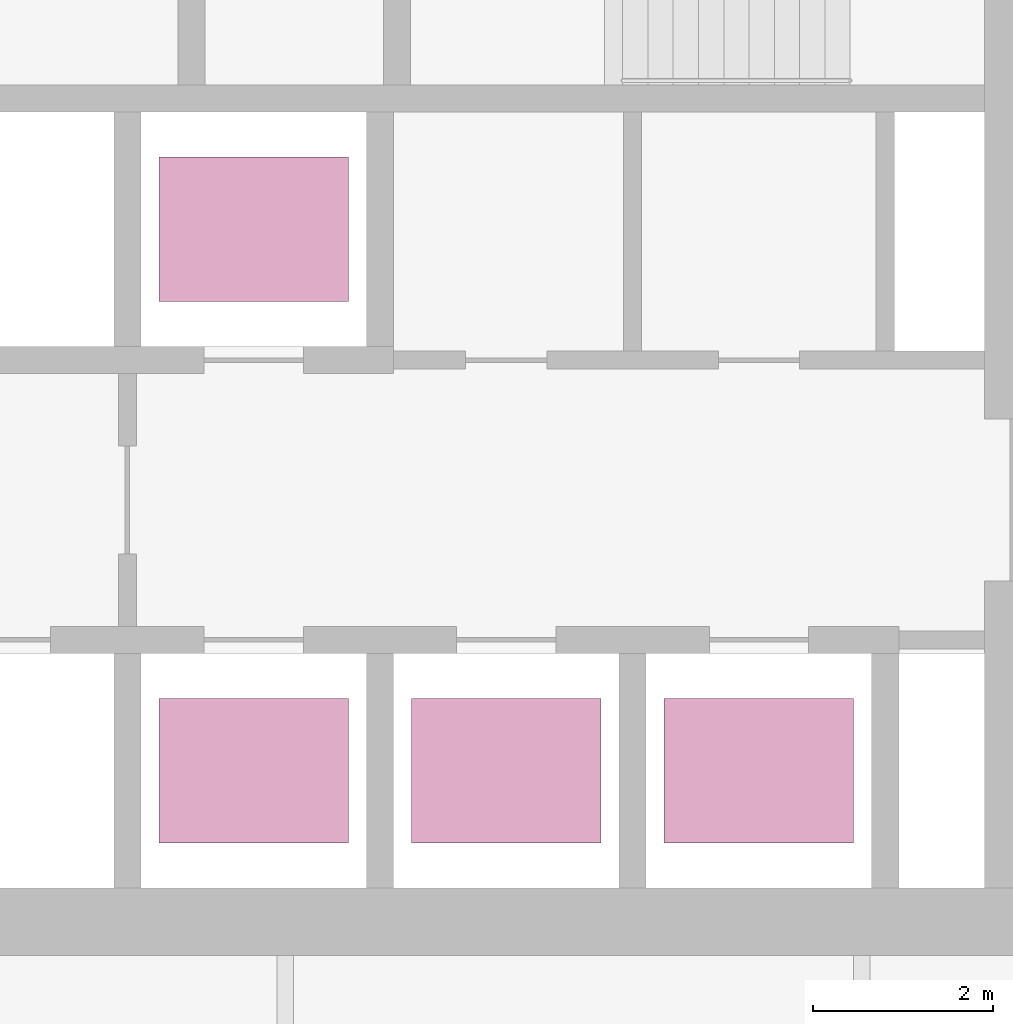
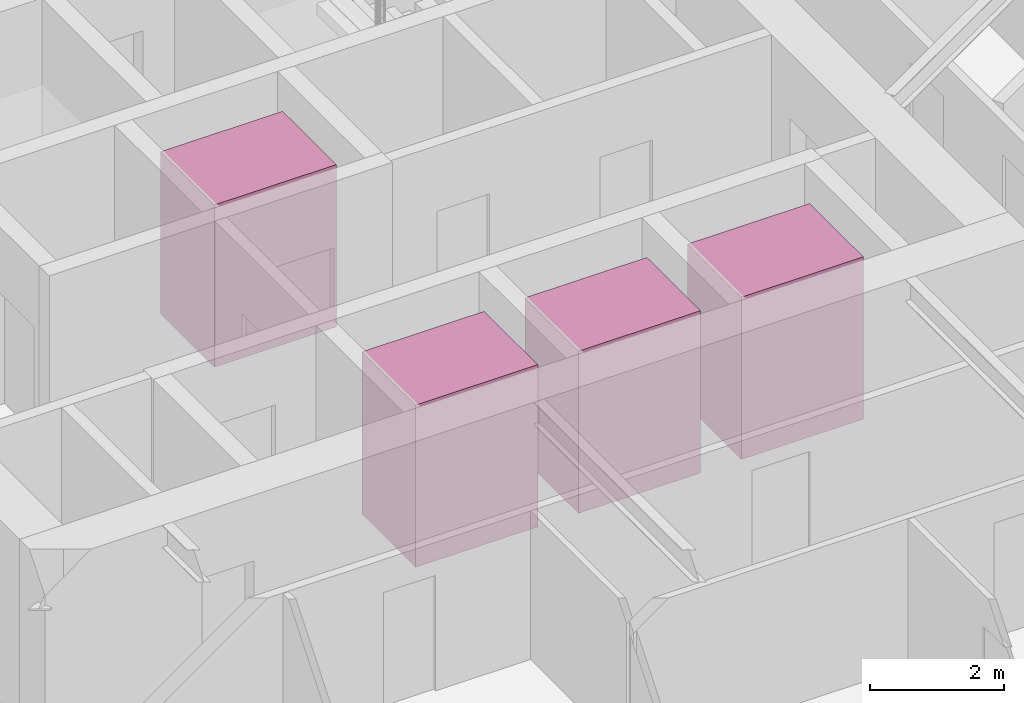
# One storey, part 21 of 21: 4 transport elements.
"""IFC4 building model written with IfcOpenShell, lengths in metres."""

from ifc_helpers import new_model, si_unit, direction, frame, origin, origin_2d, place, context, subcontext, project, spatial, rectangle, extrude, material, type_object, element, save


model = new_model("IFC4")

# Units and contexts
model_context = context("Model", 3, precision=1e-05, world=origin(), true_north=direction((0.0, 1.0)))
body_context = subcontext(model_context, "Body", "Model", "MODEL_VIEW")
ifc_project = project(units=[si_unit("LENGTHUNIT", "METRE"), si_unit("AREAUNIT", "SQUARE_METRE"), si_unit("VOLUMEUNIT", "CUBIC_METRE"), si_unit("PLANEANGLEUNIT", "RADIAN"), si_unit("MASSUNIT", "GRAM", prefix="KILO")], contexts=[model_context])

# Site, building, storey
site_placement = place(None, origin())
site = spatial("IfcSite", under=ifc_project, at=site_placement, CompositionType="ELEMENT")
building_placement = place(site_placement, origin())
building = spatial("IfcBuilding", under=site, at=building_placement, Name="Firuza Gate Tower and Library", CompositionType="ELEMENT")
storey_placement = place(building_placement, frame((0.0, 0.0, 281.10009765625)))
storey = spatial("IfcBuildingStorey", under=building, at=storey_placement, Name="L67", CompositionType="ELEMENT", Elevation=281.10009765625)

# Transport elements
ifc_material = material(Name="Stainless steel and glass", Category="steel")
transport_element_type = type_object("IfcTransportElementType", Name="High-rise lift car 2100x1600", PredefinedType="ELEVATOR", material=ifc_material)
for number, where, z_axis, x_axis, name in (
    (1, (74.64990234375, 70.300048828125, 0.0), (0.0, 0.0, 1.0), (1.0, 0.0, 0.0), "High-rise lift HR1"),
    (2, (77.449951171875, 70.300048828125, 0.0), (0.0, 0.0, 1.0), (1.0, 0.0, 0.0), "High-rise lift HR2"),
    (3, (80.25, 70.300048828125, 0.0), (0.0, 0.0, 1.0), (1.0, 0.0, 0.0), "High-rise lift HR3"),
    (4, (74.64990234375, 76.300048828125, 0.0), (0.0, 0.0, 1.0), (1.0, 0.0, 0.0), "High-rise lift HR4"),
):
    element("IfcTransportElement", number, at=place(storey_placement, frame(where, z_axis=z_axis, x_axis=x_axis)), inside=storey, type_object=transport_element_type, Name=name, PredefinedType="ELEVATOR", context=body_context, shape_type="SweptSolid", body=[
        extrude(rectangle(XDim=2.10009765625, YDim=1.60009765625, at=origin_2d()), origin(), (0.0, 0.0, 1.0), 2.949951171875),
    ])

save(model, "model.ifc")
